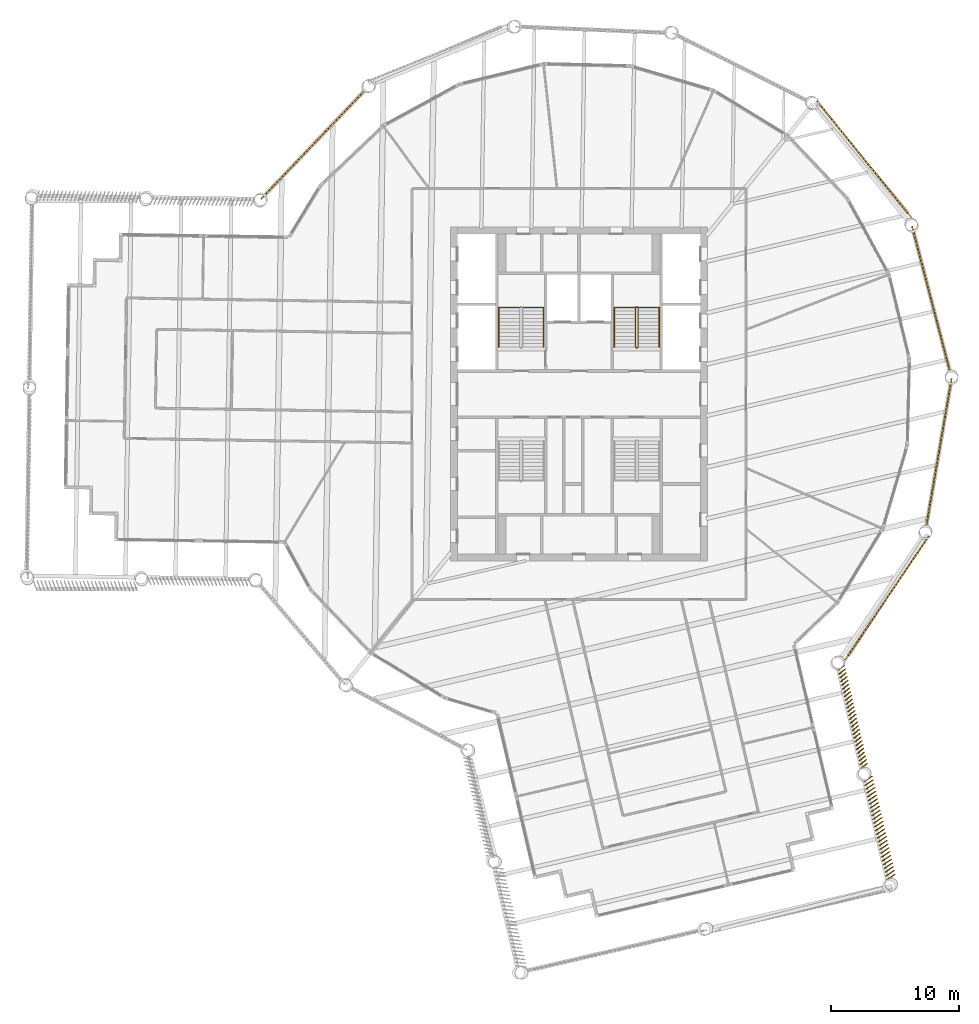
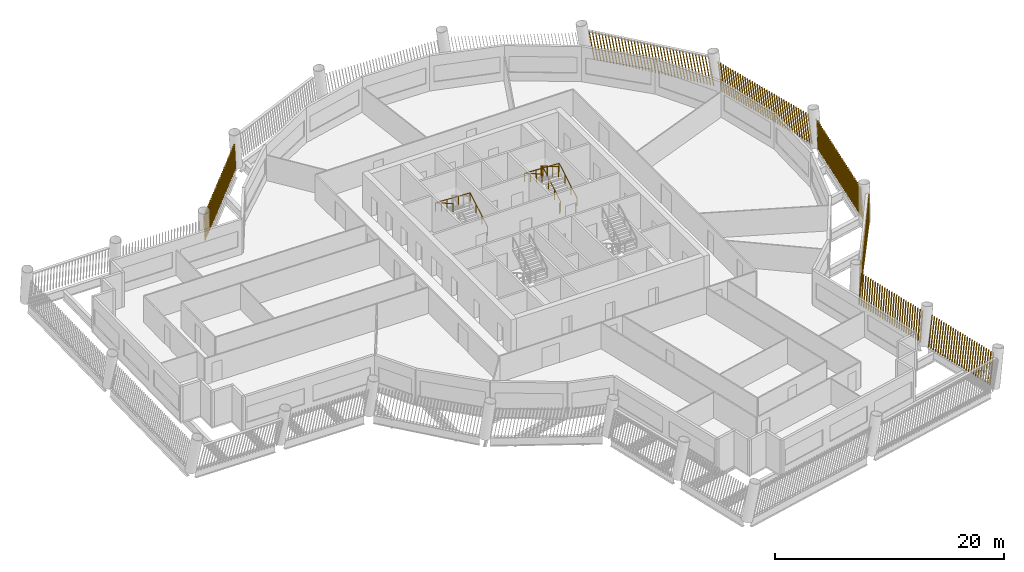
# One storey, part 13 of 15: 7 shading devices, 3 railings.
"""IFC4 building model written with IfcOpenShell, lengths in metres."""

import ifcopenshell
import ifcopenshell.guid

model = None  # the IFC model being written
_history = None  # IfcOwnerHistory: only IFC2X3 demands one
_inside = {}  # id of a spatial element -> (the spatial element, [elements in it])
_under = {}  # id of a project, library or spatial element -> (it, [spatial elements below it])
_declared = {}  # id of a project -> (the project, [libraries it declares])
_typed = {}  # id of a type object -> (the type object, [elements of that type])
_made_of = {}  # id of a material, layer set ... -> (it, [elements and type objects made of it])


def new_model(schema):
    """Start an empty IFC model of exactly this schema.

    Asked for "IFC4X3", IfcOpenShell would pick the latest addendum, in which some entities
    have other attributes; the version numbers below select the first issue.
    IFC2X3 requires an IfcOwnerHistory on every rooted entity: one is made here for all.
    """
    global model, _history
    if schema == "IFC4X3":
        model = ifcopenshell.file(schema_version=(4, 3, 0, 0))
    else:
        model = ifcopenshell.file(schema=schema)
    _inside.clear()
    _under.clear()
    _declared.clear()
    _typed.clear()
    _made_of.clear()
    _history = None
    if model.schema == "IFC2X3":
        org = make("IfcOrganization", Name="unknown")
        user = make(
            "IfcPersonAndOrganization",
            ThePerson=make("IfcPerson", FamilyName="unknown"),
            TheOrganization=org,
        )
        app = make(
            "IfcApplication",
            ApplicationDeveloper=org,
            Version="unknown",
            ApplicationFullName="unknown",
            ApplicationIdentifier="unknown",
        )
        _history = make(
            "IfcOwnerHistory",
            OwningUser=user,
            OwningApplication=app,
            ChangeAction="ADDED",
            CreationDate=0,
        )
    return model


def make(cls, **values):
    """One entity of the class cls with the attributes given. An attribute that is None is left unset."""
    return model.create_entity(
        cls, **{name: value for name, value in values.items() if value is not None}
    )


def rooted(cls, **values):
    """An entity with a GlobalId (a new one), such as an element, a storey or a relation."""
    return make(cls, GlobalId=ifcopenshell.guid.new(), OwnerHistory=_history, **values)


def si_unit(unit_type, name, prefix=None):
    """IfcSIUnit, for example si_unit("LENGTHUNIT", "METRE", prefix="MILLI")."""
    return make("IfcSIUnit", UnitType=unit_type, Prefix=prefix, Name=name)


def assignment(units):
    """IfcUnitAssignment: the units of a project."""
    return None if units is None else make("IfcUnitAssignment", Units=units)


def point(xyz):
    """IfcCartesianPoint."""
    return None if xyz is None else make("IfcCartesianPoint", Coordinates=xyz)


def direction(xyz):
    """IfcDirection."""
    return None if xyz is None else make("IfcDirection", DirectionRatios=xyz)


def frame(location, z_axis=None, x_axis=None):
    """IfcAxis2Placement3D, a coordinate frame: its origin and axes. An axis left out is left unset."""
    return make(
        "IfcAxis2Placement3D",
        Location=point(location),
        Axis=direction(z_axis),
        RefDirection=direction(x_axis),
    )


def frame_2d(location, x_axis=None):
    """IfcAxis2Placement2D, a coordinate frame in the plane: its origin and x axis."""
    return make(
        "IfcAxis2Placement2D", Location=point(location), RefDirection=direction(x_axis)
    )


def origin():
    """The frame at (0, 0, 0) with its axes left unset."""
    return frame((0.0, 0.0, 0.0))


def origin_2d():
    """The frame at (0, 0) in the plane with its x axis left unset."""
    return frame_2d((0.0, 0.0))


def place(relative_to, where):
    """IfcLocalPlacement: puts the frame where relative to a parent placement (None: the world)."""
    return make(
        "IfcLocalPlacement", PlacementRelTo=relative_to, RelativePlacement=where
    )


def context(
    kind, dimensions, precision=None, world=None, true_north=None, identifier=None
):
    """IfcGeometricRepresentationContext, for example the 3D "Model" context."""
    return make(
        "IfcGeometricRepresentationContext",
        ContextIdentifier=identifier,
        ContextType=kind,
        CoordinateSpaceDimension=dimensions,
        Precision=precision,
        WorldCoordinateSystem=world,
        TrueNorth=true_north,
    )


def subcontext(parent, identifier, kind, view, scale=None):
    """IfcGeometricRepresentationSubContext, for example "Body" below "Model"."""
    return make(
        "IfcGeometricRepresentationSubContext",
        ContextIdentifier=identifier,
        ContextType=kind,
        ParentContext=parent,
        TargetScale=scale,
        TargetView=view,
    )


def project(units=None, contexts=None):
    """IfcProject with its units and contexts."""
    return rooted(
        "IfcProject",
        Name="project",
        RepresentationContexts=contexts,
        UnitsInContext=assignment(units),
    )


def spatial(cls, under=None, at=None, **own):
    """A site, building, storey or space (cls), placed at a placement, below another one or the project."""
    s = rooted(cls, ObjectPlacement=at, **own)
    if under is not None:
        _under.setdefault(under.id(), (under, []))[1].append(s)
    return s


def profile(cls, at=None, kind="AREA", **sizes):
    """A parametric profile (cls). Its sizes go by their IFC names, for example OverallWidth=200.0."""
    return make(cls, ProfileType=kind, Position=at, **sizes)


def rectangle(**sizes):
    """IfcRectangleProfileDef."""
    return profile("IfcRectangleProfileDef", **sizes)


def circle(**sizes):
    """IfcCircleProfileDef."""
    return profile("IfcCircleProfileDef", **sizes)


def composite_profile(profiles, kind="AREA"):
    """IfcCompositeProfileDef: several profiles as one."""
    return make("IfcCompositeProfileDef", ProfileType=kind, Profiles=profiles)


def extrude(swept, where, along, depth):
    """IfcExtrudedAreaSolid: the profile swept, set in the frame where, extruded along a direction by depth."""
    return make(
        "IfcExtrudedAreaSolid",
        SweptArea=swept,
        Position=where,
        ExtrudedDirection=direction(along),
        Depth=depth,
    )


def shape(context_of_items, identifier, shape_type, items):
    """IfcShapeRepresentation: the items that make up one representation, for example the "Body"."""
    return make(
        "IfcShapeRepresentation",
        ContextOfItems=context_of_items,
        RepresentationIdentifier=identifier,
        RepresentationType=shape_type,
        Items=items,
    )


def material(Name=None, Category=None):
    """IfcMaterial."""
    return make("IfcMaterial", Name=Name, Category=Category)


def made_of(thing, what):
    """Note that an element or type object is made of a material, layer set ...; save() writes the relation."""
    if what is not None:
        _made_of.setdefault(what.id(), (what, []))[1].append(thing)
    return thing


def type_object(cls, material=None, **own):
    """A type object (cls), such as IfcWallType, which elements share."""
    return made_of(rooted(cls, **own), material)


def element(
    cls,
    number,
    at=None,
    inside=None,
    cuts=None,
    type_object=None,
    material=None,
    context=None,
    identifier="Body",
    shape_type=None,
    held_by="IfcProductDefinitionShape",
    body=None,
    shapes=None,
    **own,
):
    """One element of the class cls, such as IfcWall. Its Tag is "e" and its number.

    at: its placement. inside: the storey or other place that contains it. cuts: it is an
    opening in that element (IfcRelVoidsElement). A single representation is given by context,
    identifier, shape_type and body (its items); several are given by shapes. held_by: the class
    of the entity that holds the representations. save() writes the other relations.
    """
    e = rooted(cls, Tag="e%d" % number, ObjectPlacement=at, **own)
    if body is not None:
        shapes = [shape(context, identifier, shape_type, body)]
    if shapes is not None:
        e.Representation = make(held_by, Representations=shapes)
    if inside is not None:
        _inside.setdefault(inside.id(), (inside, []))[1].append(e)
    if cuts is not None:
        rooted(
            "IfcRelVoidsElement", RelatingBuildingElement=cuts, RelatedOpeningElement=e
        )
    if type_object is not None:
        _typed.setdefault(type_object.id(), (type_object, []))[1].append(e)
    return made_of(e, material)


def aggregate(whole, parts):
    """IfcRelAggregates: a whole, such as a stair, and the parts it consists of."""
    return rooted("IfcRelAggregates", RelatingObject=whole, RelatedObjects=parts)


def save(model, path):
    """Write the relations noted so far, then the file.

    IfcRelAggregates (storeys below a building ...), IfcRelContainedInSpatialStructure (elements
    in a storey), IfcRelDefinesByType, IfcRelAssociatesMaterial and IfcRelDeclares: one each for
    every whole, place, type object, material and project.
    """
    for whole, parts in _under.values():
        aggregate(whole, parts)
    for where, things in _inside.values():
        rooted(
            "IfcRelContainedInSpatialStructure",
            RelatedElements=things,
            RelatingStructure=where,
        )
    for kind, things in _typed.values():
        rooted("IfcRelDefinesByType", RelatedObjects=things, RelatingType=kind)
    for what, things in _made_of.values():
        rooted("IfcRelAssociatesMaterial", RelatedObjects=things, RelatingMaterial=what)
    for by, libraries in _declared.values():
        rooted("IfcRelDeclares", RelatingContext=by, RelatedDefinitions=libraries)
    model.write(path)


model = new_model("IFC4")

# Units and contexts
model_context = context("Model", 3, precision=1e-05, world=origin(), true_north=direction((0.0, 1.0)))
body_context = subcontext(model_context, "Body", "Model", "MODEL_VIEW")
ifc_project = project(units=[si_unit("LENGTHUNIT", "METRE"), si_unit("AREAUNIT", "SQUARE_METRE"), si_unit("VOLUMEUNIT", "CUBIC_METRE"), si_unit("PLANEANGLEUNIT", "RADIAN"), si_unit("MASSUNIT", "GRAM", prefix="KILO")], contexts=[model_context])

# Site, building, storey
site_placement = place(None, origin())
site = spatial("IfcSite", under=ifc_project, at=site_placement, CompositionType="ELEMENT")
building_placement = place(site_placement, origin())
building = spatial("IfcBuilding", under=site, at=building_placement, Name="Tarsis Ring Headquarters", CompositionType="ELEMENT")
storey_placement = place(building_placement, frame((0.0, 0.0, 282.5)))
storey = spatial("IfcBuildingStorey", under=building, at=storey_placement, Name="L66", CompositionType="ELEMENT", Elevation=282.5)

# Railings
ifc_material_1 = material(Name="Steel S355", Category="steel")
railing_type_1 = type_object("IfcRailingType", Name="Core stair guard 1100", PredefinedType="GUARDRAIL", material=ifc_material_1)
railing_1_placement = place(storey_placement, frame((4.4599609375, 3.610107421875, 0.0)))
element("IfcRailing", 1, at=railing_1_placement, inside=storey, type_object=railing_type_1, Name="L66 ST2 stair guard 1", PredefinedType="GUARDRAIL", context=body_context, shape_type="SweptSolid", body=[
    extrude(circle(Radius=0.02392578125, at=origin_2d()), frame((0.0, 0.0, 1.076171875), z_axis=(1.0, 0.0, 0.0), x_axis=(0.0, 1.0, 0.0)), (0.0, 0.0, 1.0), 0.080078125),
    extrude(circle(Radius=0.02392578125, at=origin_2d()), frame((0.080078125, 0.0, 1.076171875), z_axis=(0.282336740067, 0.280959487676, 0.917250092119), x_axis=(-0.705375805398, 0.708833529934, 0.0)), (0.0, 0.0, 1.0), 0.17724609375),
    extrude(circle(Radius=0.02392578125, at=origin_2d()), frame((0.130126953125, 0.0498046875, 1.23876953125), z_axis=(0.0, 0.864920483161, 0.501908913857), x_axis=(-1.0, 0.0, 0.0)), (0.0, 0.0, 1.0), 3.56103515625),
    extrude(circle(Radius=0.02392578125, at=origin_2d()), frame((0.130126953125, 3.1298828125, 3.02587890625), z_axis=(-0.707106781187, 0.707106781187, 0.0), x_axis=(-0.707106781187, -0.707106781187, 0.0)), (0.0, 0.0, 1.0), 0.07080078125),
    extrude(circle(Radius=0.02392578125, at=origin_2d()), frame((0.080078125, 3.179931640625, 3.02587890625), z_axis=(-1.0, 0.0, 0.0), x_axis=(0.0, -1.0, 0.0)), (0.0, 0.0, 1.0), 0.080078125),
    extrude(circle(Radius=0.02392578125, at=origin_2d()), frame((0.0, 3.179931640625, 3.02587890625), z_axis=(-0.282227285176, -0.282227285176, 0.916894497205), x_axis=(0.707106781187, -0.707106781187, 0.0)), (0.0, 0.0, 1.0), 0.17724609375),
    extrude(circle(Radius=0.02392578125, at=origin_2d()), frame((-0.050048828125, 3.1298828125, 3.1884765625), z_axis=(0.0, -0.864920483161, 0.501908913857), x_axis=(1.0, 0.0, 0.0)), (0.0, 0.0, 1.0), 3.56103515625),
    extrude(circle(Radius=0.02099609375, at=origin_2d()), origin(), (0.0, 0.0, 1.0), 1.052001953125),
    extrude(circle(Radius=0.02099609375, at=origin_2d()), frame((0.080078125, 0.0, 0.0)), (0.0, 0.0, 1.0), 1.052001953125),
    extrude(circle(Radius=0.02099609375, at=origin_2d()), frame((0.130126953125, 0.0498046875, 0.16259765625)), (0.0, 0.0, 1.0), 1.052001953125),
    extrude(circle(Radius=0.02099609375, at=origin_2d()), frame((0.130126953125, 1.076416015625, 0.75830078125)), (0.0, 0.0, 1.0), 1.052001953125),
    extrude(circle(Radius=0.02099609375, at=origin_2d()), frame((0.130126953125, 2.103271484375, 1.354248046875)), (0.0, 0.0, 1.0), 1.052001953125),
    extrude(circle(Radius=0.02099609375, at=origin_2d()), frame((0.130126953125, 3.1298828125, 1.949951171875)), (0.0, 0.0, 1.0), 1.052001953125),
    extrude(circle(Radius=0.02099609375, at=origin_2d()), frame((0.080078125, 3.179931640625, 1.949951171875)), (0.0, 0.0, 1.0), 1.052001953125),
    extrude(circle(Radius=0.02099609375, at=origin_2d()), frame((0.0, 3.179931640625, 1.949951171875)), (0.0, 0.0, 1.0), 1.052001953125),
    extrude(circle(Radius=0.02099609375, at=origin_2d()), frame((-0.050048828125, 3.1298828125, 2.112548828125)), (0.0, 0.0, 1.0), 1.052001953125),
    extrude(circle(Radius=0.02099609375, at=origin_2d()), frame((-0.050048828125, 2.103271484375, 2.708251953125)), (0.0, 0.0, 1.0), 1.052001953125),
    extrude(circle(Radius=0.02099609375, at=origin_2d()), frame((-0.050048828125, 1.076416015625, 3.30419921875)), (0.0, 0.0, 1.0), 1.052001953125),
    extrude(circle(Radius=0.02099609375, at=origin_2d()), frame((-0.050048828125, 0.0498046875, 3.89990234375)), (0.0, 0.0, 1.0), 1.052001953125),
])
railing_type_2 = type_object("IfcRailingType", Name="Core stair handrail 900", PredefinedType="HANDRAIL", material=ifc_material_1)
railing_2_placement = place(storey_placement, frame((-2.75, 3.659912109375, 0.16259765625)))
element("IfcRailing", 2, at=railing_2_placement, inside=storey, type_object=railing_type_2, Name="L66 ST1 stair handrail 1", PredefinedType="HANDRAIL", context=body_context, shape_type="SweptSolid", body=[
    extrude(circle(Radius=0.02392578125, at=origin_2d()), frame((0.0, 0.0, 0.8759765625), z_axis=(0.0, 0.864920483161, 0.501908913857), x_axis=(-1.0, 0.0, 0.0)), (0.0, 0.0, 1.0), 3.56103515625),
    extrude(circle(Radius=0.02392578125, at=origin_2d()), frame((0.0, 3.080078125, 2.6630859375), z_axis=(-0.998922641604, 0.0, 0.046406422943), x_axis=(0.0, -1.0, 0.0)), (0.0, 0.0, 1.0), 3.503662109375),
    extrude(circle(Radius=0.02392578125, at=origin_2d()), frame((-3.5, 3.080078125, 2.82568359375), z_axis=(0.0, -0.864920483161, 0.501908913857), x_axis=(1.0, 0.0, 0.0)), (0.0, 0.0, 1.0), 3.56103515625),
    extrude(circle(Radius=0.02099609375, at=origin_2d()), origin(), (0.0, 0.0, 1.0), 0.851806640625),
    extrude(circle(Radius=0.02099609375, at=origin_2d()), frame((0.0, 1.026611328125, 0.595703125)), (0.0, 0.0, 1.0), 0.851806640625),
    extrude(circle(Radius=0.02099609375, at=origin_2d()), frame((0.0, 2.053466796875, 1.191650390625)), (0.0, 0.0, 1.0), 0.851806640625),
    extrude(circle(Radius=0.02099609375, at=origin_2d()), frame((0.0, 3.080078125, 1.787353515625)), (0.0, 0.0, 1.0), 0.851806640625),
    extrude(circle(Radius=0.02099609375, at=origin_2d()), frame((-1.166748046875, 3.080078125, 1.841552734375)), (0.0, 0.0, 1.0), 0.851806640625),
    extrude(circle(Radius=0.02099609375, at=origin_2d()), frame((-2.333251953125, 3.080078125, 1.895751953125)), (0.0, 0.0, 1.0), 0.851806640625),
    extrude(circle(Radius=0.02099609375, at=origin_2d()), frame((-3.5, 3.080078125, 1.949951171875)), (0.0, 0.0, 1.0), 0.851806640625),
    extrude(circle(Radius=0.02099609375, at=origin_2d()), frame((-3.5, 2.053466796875, 2.545654296875)), (0.0, 0.0, 1.0), 0.851806640625),
    extrude(circle(Radius=0.02099609375, at=origin_2d()), frame((-3.5, 1.026611328125, 3.1416015625)), (0.0, 0.0, 1.0), 0.851806640625),
    extrude(circle(Radius=0.02099609375, at=origin_2d()), frame((-3.5, 0.0, 3.7373046875)), (0.0, 0.0, 1.0), 0.851806640625),
])
railing_3_placement = place(storey_placement, frame((6.25, 3.659912109375, 0.16259765625)))
element("IfcRailing", 3, at=railing_3_placement, inside=storey, type_object=railing_type_2, Name="L66 ST2 stair handrail 1", PredefinedType="HANDRAIL", context=body_context, shape_type="SweptSolid", body=[
    extrude(circle(Radius=0.02392578125, at=origin_2d()), frame((0.0, 0.0, 0.8759765625), z_axis=(0.0, 0.864920483161, 0.501908913857), x_axis=(-1.0, 0.0, 0.0)), (0.0, 0.0, 1.0), 3.56103515625),
    extrude(circle(Radius=0.02392578125, at=origin_2d()), frame((0.0, 3.080078125, 2.6630859375), z_axis=(-0.998922641604, 0.0, 0.046406422943), x_axis=(0.0, -1.0, 0.0)), (0.0, 0.0, 1.0), 3.503662109375),
    extrude(circle(Radius=0.02392578125, at=origin_2d()), frame((-3.5, 3.080078125, 2.82568359375), z_axis=(0.0, -0.864920483161, 0.501908913857), x_axis=(1.0, 0.0, 0.0)), (0.0, 0.0, 1.0), 3.56103515625),
    extrude(circle(Radius=0.02099609375, at=origin_2d()), origin(), (0.0, 0.0, 1.0), 0.851806640625),
    extrude(circle(Radius=0.02099609375, at=origin_2d()), frame((0.0, 1.026611328125, 0.595703125)), (0.0, 0.0, 1.0), 0.851806640625),
    extrude(circle(Radius=0.02099609375, at=origin_2d()), frame((0.0, 2.053466796875, 1.191650390625)), (0.0, 0.0, 1.0), 0.851806640625),
    extrude(circle(Radius=0.02099609375, at=origin_2d()), frame((0.0, 3.080078125, 1.787353515625)), (0.0, 0.0, 1.0), 0.851806640625),
    extrude(circle(Radius=0.02099609375, at=origin_2d()), frame((-1.166748046875, 3.080078125, 1.841552734375)), (0.0, 0.0, 1.0), 0.851806640625),
    extrude(circle(Radius=0.02099609375, at=origin_2d()), frame((-2.333251953125, 3.080078125, 1.895751953125)), (0.0, 0.0, 1.0), 0.851806640625),
    extrude(circle(Radius=0.02099609375, at=origin_2d()), frame((-3.5, 3.080078125, 1.949951171875)), (0.0, 0.0, 1.0), 0.851806640625),
    extrude(circle(Radius=0.02099609375, at=origin_2d()), frame((-3.5, 2.053466796875, 2.545654296875)), (0.0, 0.0, 1.0), 0.851806640625),
    extrude(circle(Radius=0.02099609375, at=origin_2d()), frame((-3.5, 1.026611328125, 3.1416015625)), (0.0, 0.0, 1.0), 0.851806640625),
    extrude(circle(Radius=0.02099609375, at=origin_2d()), frame((-3.5, 0.0, 3.7373046875)), (0.0, 0.0, 1.0), 0.851806640625),
])

# Shading devices
ifc_material_2 = material(Name="Terracotta baguette", Category="masonry")
shading_device_type = type_object("IfcShadingDeviceType", Name="Terracotta baguette screen", PredefinedType="USERDEFINED", material=ifc_material_2)
shading_device_1_placement = place(storey_placement, frame((24.015380859375, -37.83642578125, 0.0), z_axis=(0.0, 0.0, 1.0), x_axis=(-0.226983440435, 0.973893969352, 0.0)))
element("IfcShadingDevice", 4, at=shading_device_1_placement, inside=storey, type_object=shading_device_type, Name="Baguette screen L66-05", ObjectType="Terracotta baguette screen", PredefinedType="USERDEFINED", context=body_context, shape_type="SweptSolid", body=[
    extrude(composite_profile([rectangle(XDim=0.06005859375, YDim=0.1201171875, at=frame_2d((0.030029296875, 0.0))), rectangle(XDim=0.06005859375, YDim=0.1201171875, at=frame_2d((0.33154296875, 0.0))), rectangle(XDim=0.06005859375, YDim=0.1201171875, at=frame_2d((0.63330078125, 0.0))), rectangle(XDim=0.06005859375, YDim=0.1201171875, at=frame_2d((0.934814453125, 0.0))), rectangle(XDim=0.06005859375, YDim=0.1201171875, at=frame_2d((1.236572265625, 0.0))), rectangle(XDim=0.06005859375, YDim=0.1201171875, at=frame_2d((1.5380859375, 0.0))), rectangle(XDim=0.06005859375, YDim=0.1201171875, at=frame_2d((1.83984375, 0.0))), rectangle(XDim=0.06005859375, YDim=0.1201171875, at=frame_2d((2.141357421875, 0.0))), rectangle(XDim=0.06005859375, YDim=0.1201171875, at=frame_2d((2.443115234375, 0.0))), rectangle(XDim=0.06005859375, YDim=0.1201171875, at=frame_2d((2.74462890625, 0.0))), rectangle(XDim=0.06005859375, YDim=0.1201171875, at=frame_2d((3.04638671875, 0.0))), rectangle(XDim=0.06005859375, YDim=0.1201171875, at=frame_2d((3.347900390625, 0.0))), rectangle(XDim=0.06005859375, YDim=0.1201171875, at=frame_2d((3.649658203125, 0.0))), rectangle(XDim=0.06005859375, YDim=0.1201171875, at=frame_2d((3.951171875, 0.0))), rectangle(XDim=0.06005859375, YDim=0.1201171875, at=frame_2d((4.252685546875, 0.0))), rectangle(XDim=0.06005859375, YDim=0.1201171875, at=frame_2d((4.554443359375, 0.0))), rectangle(XDim=0.06005859375, YDim=0.1201171875, at=frame_2d((4.85595703125, 0.0))), rectangle(XDim=0.06005859375, YDim=0.1201171875, at=frame_2d((5.15771484375, 0.0))), rectangle(XDim=0.06005859375, YDim=0.1201171875, at=frame_2d((5.459228515625, 0.0))), rectangle(XDim=0.06005859375, YDim=0.1201171875, at=frame_2d((5.760986328125, 0.0))), rectangle(XDim=0.06005859375, YDim=0.1201171875, at=frame_2d((6.0625, 0.0))), rectangle(XDim=0.06005859375, YDim=0.1201171875, at=frame_2d((6.3642578125, 0.0))), rectangle(XDim=0.06005859375, YDim=0.1201171875, at=frame_2d((6.665771484375, 0.0))), rectangle(XDim=0.06005859375, YDim=0.1201171875, at=frame_2d((6.967529296875, 0.0))), rectangle(XDim=0.06005859375, YDim=0.1201171875, at=frame_2d((7.26904296875, 0.0))), rectangle(XDim=0.06005859375, YDim=0.1201171875, at=frame_2d((7.57080078125, 0.0))), rectangle(XDim=0.06005859375, YDim=0.1201171875, at=frame_2d((7.872314453125, 0.0)))]), origin(), (0.086510997016, -0.218462381292, 0.972003104602), 3.05322265625),
])
shading_device_2_placement = place(storey_placement, frame((21.99462890625, -29.16650390625, 0.0), z_axis=(0.0, 0.0, 1.0), x_axis=(-0.226983440435, 0.973893969352, 0.0)))
element("IfcShadingDevice", 5, at=shading_device_2_placement, inside=storey, type_object=shading_device_type, Name="Baguette screen L66-06", ObjectType="Terracotta baguette screen", PredefinedType="USERDEFINED", context=body_context, shape_type="SweptSolid", body=[
    extrude(composite_profile([rectangle(XDim=0.06005859375, YDim=0.1201171875, at=frame_2d((0.030029296875, 0.0))), rectangle(XDim=0.06005859375, YDim=0.1201171875, at=frame_2d((0.33154296875, 0.0))), rectangle(XDim=0.06005859375, YDim=0.1201171875, at=frame_2d((0.63330078125, 0.0))), rectangle(XDim=0.06005859375, YDim=0.1201171875, at=frame_2d((0.934814453125, 0.0))), rectangle(XDim=0.06005859375, YDim=0.1201171875, at=frame_2d((1.236572265625, 0.0))), rectangle(XDim=0.06005859375, YDim=0.1201171875, at=frame_2d((1.5380859375, 0.0))), rectangle(XDim=0.06005859375, YDim=0.1201171875, at=frame_2d((1.83984375, 0.0))), rectangle(XDim=0.06005859375, YDim=0.1201171875, at=frame_2d((2.141357421875, 0.0))), rectangle(XDim=0.06005859375, YDim=0.1201171875, at=frame_2d((2.443115234375, 0.0))), rectangle(XDim=0.06005859375, YDim=0.1201171875, at=frame_2d((2.74462890625, 0.0))), rectangle(XDim=0.06005859375, YDim=0.1201171875, at=frame_2d((3.04638671875, 0.0))), rectangle(XDim=0.06005859375, YDim=0.1201171875, at=frame_2d((3.347900390625, 0.0))), rectangle(XDim=0.06005859375, YDim=0.1201171875, at=frame_2d((3.649658203125, 0.0))), rectangle(XDim=0.06005859375, YDim=0.1201171875, at=frame_2d((3.951171875, 0.0))), rectangle(XDim=0.06005859375, YDim=0.1201171875, at=frame_2d((4.252685546875, 0.0))), rectangle(XDim=0.06005859375, YDim=0.1201171875, at=frame_2d((4.554443359375, 0.0))), rectangle(XDim=0.06005859375, YDim=0.1201171875, at=frame_2d((4.85595703125, 0.0))), rectangle(XDim=0.06005859375, YDim=0.1201171875, at=frame_2d((5.15771484375, 0.0))), rectangle(XDim=0.06005859375, YDim=0.1201171875, at=frame_2d((5.459228515625, 0.0))), rectangle(XDim=0.06005859375, YDim=0.1201171875, at=frame_2d((5.760986328125, 0.0))), rectangle(XDim=0.06005859375, YDim=0.1201171875, at=frame_2d((6.0625, 0.0))), rectangle(XDim=0.06005859375, YDim=0.1201171875, at=frame_2d((6.3642578125, 0.0))), rectangle(XDim=0.06005859375, YDim=0.1201171875, at=frame_2d((6.665771484375, 0.0))), rectangle(XDim=0.06005859375, YDim=0.1201171875, at=frame_2d((6.967529296875, 0.0))), rectangle(XDim=0.06005859375, YDim=0.1201171875, at=frame_2d((7.26904296875, 0.0))), rectangle(XDim=0.06005859375, YDim=0.1201171875, at=frame_2d((7.57080078125, 0.0))), rectangle(XDim=0.06005859375, YDim=0.1201171875, at=frame_2d((7.872314453125, 0.0)))]), origin(), (0.086927656285, -0.169254599007, 0.981731360041), 3.02294921875),
])
shading_device_3_placement = place(storey_placement, frame((20.67822265625, -20.779541015625, 0.0), z_axis=(0.0, 0.0, 1.0), x_axis=(0.560325556158, 0.828279978296, 0.0)))
element("IfcShadingDevice", 6, at=shading_device_3_placement, inside=storey, type_object=shading_device_type, Name="Baguette screen L66-07", ObjectType="Terracotta baguette screen", PredefinedType="USERDEFINED", context=body_context, shape_type="SweptSolid", body=[
    extrude(composite_profile([rectangle(XDim=0.06005859375, YDim=0.1201171875, at=frame_2d((0.030029296875, 0.0))), rectangle(XDim=0.06005859375, YDim=0.1201171875, at=frame_2d((0.33251953125, 0.0))), rectangle(XDim=0.06005859375, YDim=0.1201171875, at=frame_2d((0.634765625, 0.0))), rectangle(XDim=0.06005859375, YDim=0.1201171875, at=frame_2d((0.937255859375, 0.0))), rectangle(XDim=0.06005859375, YDim=0.1201171875, at=frame_2d((1.239501953125, 0.0))), rectangle(XDim=0.06005859375, YDim=0.1201171875, at=frame_2d((1.5419921875, 0.0))), rectangle(XDim=0.06005859375, YDim=0.1201171875, at=frame_2d((1.844482421875, 0.0))), rectangle(XDim=0.06005859375, YDim=0.1201171875, at=frame_2d((2.146728515625, 0.0))), rectangle(XDim=0.06005859375, YDim=0.1201171875, at=frame_2d((2.44921875, 0.0))), rectangle(XDim=0.06005859375, YDim=0.1201171875, at=frame_2d((2.751708984375, 0.0))), rectangle(XDim=0.06005859375, YDim=0.1201171875, at=frame_2d((3.053955078125, 0.0))), rectangle(XDim=0.06005859375, YDim=0.1201171875, at=frame_2d((3.3564453125, 0.0))), rectangle(XDim=0.06005859375, YDim=0.1201171875, at=frame_2d((3.65869140625, 0.0))), rectangle(XDim=0.06005859375, YDim=0.1201171875, at=frame_2d((3.961181640625, 0.0))), rectangle(XDim=0.06005859375, YDim=0.1201171875, at=frame_2d((4.263671875, 0.0))), rectangle(XDim=0.06005859375, YDim=0.1201171875, at=frame_2d((4.56591796875, 0.0))), rectangle(XDim=0.06005859375, YDim=0.1201171875, at=frame_2d((4.868408203125, 0.0))), rectangle(XDim=0.06005859375, YDim=0.1201171875, at=frame_2d((5.1708984375, 0.0))), rectangle(XDim=0.06005859375, YDim=0.1201171875, at=frame_2d((5.47314453125, 0.0))), rectangle(XDim=0.06005859375, YDim=0.1201171875, at=frame_2d((5.775634765625, 0.0))), rectangle(XDim=0.06005859375, YDim=0.1201171875, at=frame_2d((6.077880859375, 0.0))), rectangle(XDim=0.06005859375, YDim=0.1201171875, at=frame_2d((6.38037109375, 0.0))), rectangle(XDim=0.06005859375, YDim=0.1201171875, at=frame_2d((6.682861328125, 0.0))), rectangle(XDim=0.06005859375, YDim=0.1201171875, at=frame_2d((6.985107421875, 0.0))), rectangle(XDim=0.06005859375, YDim=0.1201171875, at=frame_2d((7.28759765625, 0.0))), rectangle(XDim=0.06005859375, YDim=0.1201171875, at=frame_2d((7.590087890625, 0.0))), rectangle(XDim=0.06005859375, YDim=0.1201171875, at=frame_2d((7.892333984375, 0.0))), rectangle(XDim=0.06005859375, YDim=0.1201171875, at=frame_2d((8.19482421875, 0.0))), rectangle(XDim=0.06005859375, YDim=0.1201171875, at=frame_2d((8.4970703125, 0.0))), rectangle(XDim=0.06005859375, YDim=0.1201171875, at=frame_2d((8.799560546875, 0.0))), rectangle(XDim=0.06005859375, YDim=0.1201171875, at=frame_2d((9.10205078125, 0.0))), rectangle(XDim=0.06005859375, YDim=0.1201171875, at=frame_2d((9.404296875, 0.0))), rectangle(XDim=0.06005859375, YDim=0.1201171875, at=frame_2d((9.706787109375, 0.0))), rectangle(XDim=0.06005859375, YDim=0.1201171875, at=frame_2d((10.00927734375, 0.0))), rectangle(XDim=0.06005859375, YDim=0.1201171875, at=frame_2d((10.3115234375, 0.0))), rectangle(XDim=0.06005859375, YDim=0.1201171875, at=frame_2d((10.614013671875, 0.0))), rectangle(XDim=0.06005859375, YDim=0.1201171875, at=frame_2d((10.916259765625, 0.0))), rectangle(XDim=0.06005859375, YDim=0.1201171875, at=frame_2d((11.21875, 0.0)))]), origin(), (0.166819335407, 0.001454165211, 0.985986406974), 3.010009765625),
])
shading_device_4_placement = place(storey_placement, frame((27.035400390625, -10.345458984375, 0.0), z_axis=(0.0, 0.0, 1.0), x_axis=(0.169111902075, 0.985589026825, 0.0)))
element("IfcShadingDevice", 7, at=shading_device_4_placement, inside=storey, type_object=shading_device_type, Name="Baguette screen L66-08", ObjectType="Terracotta baguette screen", PredefinedType="USERDEFINED", context=body_context, shape_type="SweptSolid", body=[
    extrude(composite_profile([rectangle(XDim=0.06005859375, YDim=0.1201171875, at=frame_2d((0.030029296875, 0.0))), rectangle(XDim=0.06005859375, YDim=0.1201171875, at=frame_2d((0.33251953125, 0.0))), rectangle(XDim=0.06005859375, YDim=0.1201171875, at=frame_2d((0.634765625, 0.0))), rectangle(XDim=0.06005859375, YDim=0.1201171875, at=frame_2d((0.937255859375, 0.0))), rectangle(XDim=0.06005859375, YDim=0.1201171875, at=frame_2d((1.239501953125, 0.0))), rectangle(XDim=0.06005859375, YDim=0.1201171875, at=frame_2d((1.5419921875, 0.0))), rectangle(XDim=0.06005859375, YDim=0.1201171875, at=frame_2d((1.844482421875, 0.0))), rectangle(XDim=0.06005859375, YDim=0.1201171875, at=frame_2d((2.146728515625, 0.0))), rectangle(XDim=0.06005859375, YDim=0.1201171875, at=frame_2d((2.44921875, 0.0))), rectangle(XDim=0.06005859375, YDim=0.1201171875, at=frame_2d((2.751708984375, 0.0))), rectangle(XDim=0.06005859375, YDim=0.1201171875, at=frame_2d((3.053955078125, 0.0))), rectangle(XDim=0.06005859375, YDim=0.1201171875, at=frame_2d((3.3564453125, 0.0))), rectangle(XDim=0.06005859375, YDim=0.1201171875, at=frame_2d((3.65869140625, 0.0))), rectangle(XDim=0.06005859375, YDim=0.1201171875, at=frame_2d((3.961181640625, 0.0))), rectangle(XDim=0.06005859375, YDim=0.1201171875, at=frame_2d((4.263671875, 0.0))), rectangle(XDim=0.06005859375, YDim=0.1201171875, at=frame_2d((4.56591796875, 0.0))), rectangle(XDim=0.06005859375, YDim=0.1201171875, at=frame_2d((4.868408203125, 0.0))), rectangle(XDim=0.06005859375, YDim=0.1201171875, at=frame_2d((5.1708984375, 0.0))), rectangle(XDim=0.06005859375, YDim=0.1201171875, at=frame_2d((5.47314453125, 0.0))), rectangle(XDim=0.06005859375, YDim=0.1201171875, at=frame_2d((5.775634765625, 0.0))), rectangle(XDim=0.06005859375, YDim=0.1201171875, at=frame_2d((6.077880859375, 0.0))), rectangle(XDim=0.06005859375, YDim=0.1201171875, at=frame_2d((6.38037109375, 0.0))), rectangle(XDim=0.06005859375, YDim=0.1201171875, at=frame_2d((6.682861328125, 0.0))), rectangle(XDim=0.06005859375, YDim=0.1201171875, at=frame_2d((6.985107421875, 0.0))), rectangle(XDim=0.06005859375, YDim=0.1201171875, at=frame_2d((7.28759765625, 0.0))), rectangle(XDim=0.06005859375, YDim=0.1201171875, at=frame_2d((7.590087890625, 0.0))), rectangle(XDim=0.06005859375, YDim=0.1201171875, at=frame_2d((7.892333984375, 0.0))), rectangle(XDim=0.06005859375, YDim=0.1201171875, at=frame_2d((8.19482421875, 0.0))), rectangle(XDim=0.06005859375, YDim=0.1201171875, at=frame_2d((8.4970703125, 0.0))), rectangle(XDim=0.06005859375, YDim=0.1201171875, at=frame_2d((8.799560546875, 0.0))), rectangle(XDim=0.06005859375, YDim=0.1201171875, at=frame_2d((9.10205078125, 0.0))), rectangle(XDim=0.06005859375, YDim=0.1201171875, at=frame_2d((9.404296875, 0.0))), rectangle(XDim=0.06005859375, YDim=0.1201171875, at=frame_2d((9.706787109375, 0.0))), rectangle(XDim=0.06005859375, YDim=0.1201171875, at=frame_2d((10.00927734375, 0.0))), rectangle(XDim=0.06005859375, YDim=0.1201171875, at=frame_2d((10.3115234375, 0.0))), rectangle(XDim=0.06005859375, YDim=0.1201171875, at=frame_2d((10.614013671875, 0.0))), rectangle(XDim=0.06005859375, YDim=0.1201171875, at=frame_2d((10.916259765625, 0.0))), rectangle(XDim=0.06005859375, YDim=0.1201171875, at=frame_2d((11.21875, 0.0)))]), origin(), (0.164702055218, 0.001437343183, 0.986342317379), 3.0087890625),
])
shading_device_5_placement = place(storey_placement, frame((28.896240234375, 1.718017578125, 0.0), z_axis=(0.0, 0.0, 1.0), x_axis=(-0.252175800326, 0.967683125339, 0.0)))
element("IfcShadingDevice", 8, at=shading_device_5_placement, inside=storey, type_object=shading_device_type, Name="Baguette screen L66-09", ObjectType="Terracotta baguette screen", PredefinedType="USERDEFINED", context=body_context, shape_type="SweptSolid", body=[
    extrude(composite_profile([rectangle(XDim=0.06005859375, YDim=0.1201171875, at=frame_2d((0.030029296875, 0.0))), rectangle(XDim=0.06005859375, YDim=0.1201171875, at=frame_2d((0.33251953125, 0.0))), rectangle(XDim=0.06005859375, YDim=0.1201171875, at=frame_2d((0.634765625, 0.0))), rectangle(XDim=0.06005859375, YDim=0.1201171875, at=frame_2d((0.937255859375, 0.0))), rectangle(XDim=0.06005859375, YDim=0.1201171875, at=frame_2d((1.239501953125, 0.0))), rectangle(XDim=0.06005859375, YDim=0.1201171875, at=frame_2d((1.5419921875, 0.0))), rectangle(XDim=0.06005859375, YDim=0.1201171875, at=frame_2d((1.844482421875, 0.0))), rectangle(XDim=0.06005859375, YDim=0.1201171875, at=frame_2d((2.146728515625, 0.0))), rectangle(XDim=0.06005859375, YDim=0.1201171875, at=frame_2d((2.44921875, 0.0))), rectangle(XDim=0.06005859375, YDim=0.1201171875, at=frame_2d((2.751708984375, 0.0))), rectangle(XDim=0.06005859375, YDim=0.1201171875, at=frame_2d((3.053955078125, 0.0))), rectangle(XDim=0.06005859375, YDim=0.1201171875, at=frame_2d((3.3564453125, 0.0))), rectangle(XDim=0.06005859375, YDim=0.1201171875, at=frame_2d((3.65869140625, 0.0))), rectangle(XDim=0.06005859375, YDim=0.1201171875, at=frame_2d((3.961181640625, 0.0))), rectangle(XDim=0.06005859375, YDim=0.1201171875, at=frame_2d((4.263671875, 0.0))), rectangle(XDim=0.06005859375, YDim=0.1201171875, at=frame_2d((4.56591796875, 0.0))), rectangle(XDim=0.06005859375, YDim=0.1201171875, at=frame_2d((4.868408203125, 0.0))), rectangle(XDim=0.06005859375, YDim=0.1201171875, at=frame_2d((5.1708984375, 0.0))), rectangle(XDim=0.06005859375, YDim=0.1201171875, at=frame_2d((5.47314453125, 0.0))), rectangle(XDim=0.06005859375, YDim=0.1201171875, at=frame_2d((5.775634765625, 0.0))), rectangle(XDim=0.06005859375, YDim=0.1201171875, at=frame_2d((6.077880859375, 0.0))), rectangle(XDim=0.06005859375, YDim=0.1201171875, at=frame_2d((6.38037109375, 0.0))), rectangle(XDim=0.06005859375, YDim=0.1201171875, at=frame_2d((6.682861328125, 0.0))), rectangle(XDim=0.06005859375, YDim=0.1201171875, at=frame_2d((6.985107421875, 0.0))), rectangle(XDim=0.06005859375, YDim=0.1201171875, at=frame_2d((7.28759765625, 0.0))), rectangle(XDim=0.06005859375, YDim=0.1201171875, at=frame_2d((7.590087890625, 0.0))), rectangle(XDim=0.06005859375, YDim=0.1201171875, at=frame_2d((7.892333984375, 0.0))), rectangle(XDim=0.06005859375, YDim=0.1201171875, at=frame_2d((8.19482421875, 0.0))), rectangle(XDim=0.06005859375, YDim=0.1201171875, at=frame_2d((8.4970703125, 0.0))), rectangle(XDim=0.06005859375, YDim=0.1201171875, at=frame_2d((8.799560546875, 0.0))), rectangle(XDim=0.06005859375, YDim=0.1201171875, at=frame_2d((9.10205078125, 0.0))), rectangle(XDim=0.06005859375, YDim=0.1201171875, at=frame_2d((9.404296875, 0.0))), rectangle(XDim=0.06005859375, YDim=0.1201171875, at=frame_2d((9.706787109375, 0.0))), rectangle(XDim=0.06005859375, YDim=0.1201171875, at=frame_2d((10.00927734375, 0.0))), rectangle(XDim=0.06005859375, YDim=0.1201171875, at=frame_2d((10.3115234375, 0.0))), rectangle(XDim=0.06005859375, YDim=0.1201171875, at=frame_2d((10.614013671875, 0.0))), rectangle(XDim=0.06005859375, YDim=0.1201171875, at=frame_2d((10.916259765625, 0.0))), rectangle(XDim=0.06005859375, YDim=0.1201171875, at=frame_2d((11.21875, 0.0)))]), origin(), (0.164703551476, 0.001437109043, 0.986342067869), 3.0087890625),
])
shading_device_6_placement = place(storey_placement, frame((25.91064453125, 13.711669921875, 0.0), z_axis=(0.0, 0.0, 1.0), x_axis=(-0.628627238199, 0.777710255019, 0.0)))
element("IfcShadingDevice", 9, at=shading_device_6_placement, inside=storey, type_object=shading_device_type, Name="Baguette screen L66-10", ObjectType="Terracotta baguette screen", PredefinedType="USERDEFINED", context=body_context, shape_type="SweptSolid", body=[
    extrude(composite_profile([rectangle(XDim=0.06005859375, YDim=0.1201171875, at=frame_2d((0.030029296875, 0.0))), rectangle(XDim=0.06005859375, YDim=0.1201171875, at=frame_2d((0.33251953125, 0.0))), rectangle(XDim=0.06005859375, YDim=0.1201171875, at=frame_2d((0.634765625, 0.0))), rectangle(XDim=0.06005859375, YDim=0.1201171875, at=frame_2d((0.937255859375, 0.0))), rectangle(XDim=0.06005859375, YDim=0.1201171875, at=frame_2d((1.239501953125, 0.0))), rectangle(XDim=0.06005859375, YDim=0.1201171875, at=frame_2d((1.5419921875, 0.0))), rectangle(XDim=0.06005859375, YDim=0.1201171875, at=frame_2d((1.844482421875, 0.0))), rectangle(XDim=0.06005859375, YDim=0.1201171875, at=frame_2d((2.146728515625, 0.0))), rectangle(XDim=0.06005859375, YDim=0.1201171875, at=frame_2d((2.44921875, 0.0))), rectangle(XDim=0.06005859375, YDim=0.1201171875, at=frame_2d((2.751708984375, 0.0))), rectangle(XDim=0.06005859375, YDim=0.1201171875, at=frame_2d((3.053955078125, 0.0))), rectangle(XDim=0.06005859375, YDim=0.1201171875, at=frame_2d((3.3564453125, 0.0))), rectangle(XDim=0.06005859375, YDim=0.1201171875, at=frame_2d((3.65869140625, 0.0))), rectangle(XDim=0.06005859375, YDim=0.1201171875, at=frame_2d((3.961181640625, 0.0))), rectangle(XDim=0.06005859375, YDim=0.1201171875, at=frame_2d((4.263671875, 0.0))), rectangle(XDim=0.06005859375, YDim=0.1201171875, at=frame_2d((4.56591796875, 0.0))), rectangle(XDim=0.06005859375, YDim=0.1201171875, at=frame_2d((4.868408203125, 0.0))), rectangle(XDim=0.06005859375, YDim=0.1201171875, at=frame_2d((5.1708984375, 0.0))), rectangle(XDim=0.06005859375, YDim=0.1201171875, at=frame_2d((5.47314453125, 0.0))), rectangle(XDim=0.06005859375, YDim=0.1201171875, at=frame_2d((5.775634765625, 0.0))), rectangle(XDim=0.06005859375, YDim=0.1201171875, at=frame_2d((6.077880859375, 0.0))), rectangle(XDim=0.06005859375, YDim=0.1201171875, at=frame_2d((6.38037109375, 0.0))), rectangle(XDim=0.06005859375, YDim=0.1201171875, at=frame_2d((6.682861328125, 0.0))), rectangle(XDim=0.06005859375, YDim=0.1201171875, at=frame_2d((6.985107421875, 0.0))), rectangle(XDim=0.06005859375, YDim=0.1201171875, at=frame_2d((7.28759765625, 0.0))), rectangle(XDim=0.06005859375, YDim=0.1201171875, at=frame_2d((7.590087890625, 0.0))), rectangle(XDim=0.06005859375, YDim=0.1201171875, at=frame_2d((7.892333984375, 0.0))), rectangle(XDim=0.06005859375, YDim=0.1201171875, at=frame_2d((8.19482421875, 0.0))), rectangle(XDim=0.06005859375, YDim=0.1201171875, at=frame_2d((8.4970703125, 0.0))), rectangle(XDim=0.06005859375, YDim=0.1201171875, at=frame_2d((8.799560546875, 0.0))), rectangle(XDim=0.06005859375, YDim=0.1201171875, at=frame_2d((9.10205078125, 0.0))), rectangle(XDim=0.06005859375, YDim=0.1201171875, at=frame_2d((9.404296875, 0.0))), rectangle(XDim=0.06005859375, YDim=0.1201171875, at=frame_2d((9.706787109375, 0.0))), rectangle(XDim=0.06005859375, YDim=0.1201171875, at=frame_2d((10.00927734375, 0.0))), rectangle(XDim=0.06005859375, YDim=0.1201171875, at=frame_2d((10.3115234375, 0.0))), rectangle(XDim=0.06005859375, YDim=0.1201171875, at=frame_2d((10.614013671875, 0.0))), rectangle(XDim=0.06005859375, YDim=0.1201171875, at=frame_2d((10.916259765625, 0.0))), rectangle(XDim=0.06005859375, YDim=0.1201171875, at=frame_2d((11.21875, 0.0)))]), origin(), (0.166818536905, 0.001455842194, 0.985986539598), 3.010009765625),
])
shading_device_7_placement = place(storey_placement, frame((-16.65087890625, 23.6787109375, 0.0), z_axis=(0.0, 0.0, 1.0), x_axis=(-0.690656538253, -0.723190450353, 0.0)))
element("IfcShadingDevice", 10, at=shading_device_7_placement, inside=storey, type_object=shading_device_type, Name="Baguette screen L66-14", ObjectType="Terracotta baguette screen", PredefinedType="USERDEFINED", context=body_context, shape_type="SweptSolid", body=[
    extrude(composite_profile([rectangle(XDim=0.06005859375, YDim=0.1201171875, at=frame_2d((0.030029296875, 0.0))), rectangle(XDim=0.06005859375, YDim=0.1201171875, at=frame_2d((0.33251953125, 0.0))), rectangle(XDim=0.06005859375, YDim=0.1201171875, at=frame_2d((0.634765625, 0.0))), rectangle(XDim=0.06005859375, YDim=0.1201171875, at=frame_2d((0.937255859375, 0.0))), rectangle(XDim=0.06005859375, YDim=0.1201171875, at=frame_2d((1.239501953125, 0.0))), rectangle(XDim=0.06005859375, YDim=0.1201171875, at=frame_2d((1.5419921875, 0.0))), rectangle(XDim=0.06005859375, YDim=0.1201171875, at=frame_2d((1.844482421875, 0.0))), rectangle(XDim=0.06005859375, YDim=0.1201171875, at=frame_2d((2.146728515625, 0.0))), rectangle(XDim=0.06005859375, YDim=0.1201171875, at=frame_2d((2.44921875, 0.0))), rectangle(XDim=0.06005859375, YDim=0.1201171875, at=frame_2d((2.751708984375, 0.0))), rectangle(XDim=0.06005859375, YDim=0.1201171875, at=frame_2d((3.053955078125, 0.0))), rectangle(XDim=0.06005859375, YDim=0.1201171875, at=frame_2d((3.3564453125, 0.0))), rectangle(XDim=0.06005859375, YDim=0.1201171875, at=frame_2d((3.65869140625, 0.0))), rectangle(XDim=0.06005859375, YDim=0.1201171875, at=frame_2d((3.961181640625, 0.0))), rectangle(XDim=0.06005859375, YDim=0.1201171875, at=frame_2d((4.263671875, 0.0))), rectangle(XDim=0.06005859375, YDim=0.1201171875, at=frame_2d((4.56591796875, 0.0))), rectangle(XDim=0.06005859375, YDim=0.1201171875, at=frame_2d((4.868408203125, 0.0))), rectangle(XDim=0.06005859375, YDim=0.1201171875, at=frame_2d((5.1708984375, 0.0))), rectangle(XDim=0.06005859375, YDim=0.1201171875, at=frame_2d((5.47314453125, 0.0))), rectangle(XDim=0.06005859375, YDim=0.1201171875, at=frame_2d((5.775634765625, 0.0))), rectangle(XDim=0.06005859375, YDim=0.1201171875, at=frame_2d((6.077880859375, 0.0))), rectangle(XDim=0.06005859375, YDim=0.1201171875, at=frame_2d((6.38037109375, 0.0))), rectangle(XDim=0.06005859375, YDim=0.1201171875, at=frame_2d((6.682861328125, 0.0))), rectangle(XDim=0.06005859375, YDim=0.1201171875, at=frame_2d((6.985107421875, 0.0))), rectangle(XDim=0.06005859375, YDim=0.1201171875, at=frame_2d((7.28759765625, 0.0))), rectangle(XDim=0.06005859375, YDim=0.1201171875, at=frame_2d((7.590087890625, 0.0))), rectangle(XDim=0.06005859375, YDim=0.1201171875, at=frame_2d((7.892333984375, 0.0))), rectangle(XDim=0.06005859375, YDim=0.1201171875, at=frame_2d((8.19482421875, 0.0))), rectangle(XDim=0.06005859375, YDim=0.1201171875, at=frame_2d((8.4970703125, 0.0))), rectangle(XDim=0.06005859375, YDim=0.1201171875, at=frame_2d((8.799560546875, 0.0))), rectangle(XDim=0.06005859375, YDim=0.1201171875, at=frame_2d((9.10205078125, 0.0))), rectangle(XDim=0.06005859375, YDim=0.1201171875, at=frame_2d((9.404296875, 0.0))), rectangle(XDim=0.06005859375, YDim=0.1201171875, at=frame_2d((9.706787109375, 0.0))), rectangle(XDim=0.06005859375, YDim=0.1201171875, at=frame_2d((10.00927734375, 0.0))), rectangle(XDim=0.06005859375, YDim=0.1201171875, at=frame_2d((10.3115234375, 0.0))), rectangle(XDim=0.06005859375, YDim=0.1201171875, at=frame_2d((10.614013671875, 0.0))), rectangle(XDim=0.06005859375, YDim=0.1201171875, at=frame_2d((10.916259765625, 0.0))), rectangle(XDim=0.06005859375, YDim=0.1201171875, at=frame_2d((11.21875, 0.0)))]), origin(), (0.164704342299, 0.001438686885, 0.986341933514), 3.0087890625),
])

save(model, "model.ifc")
